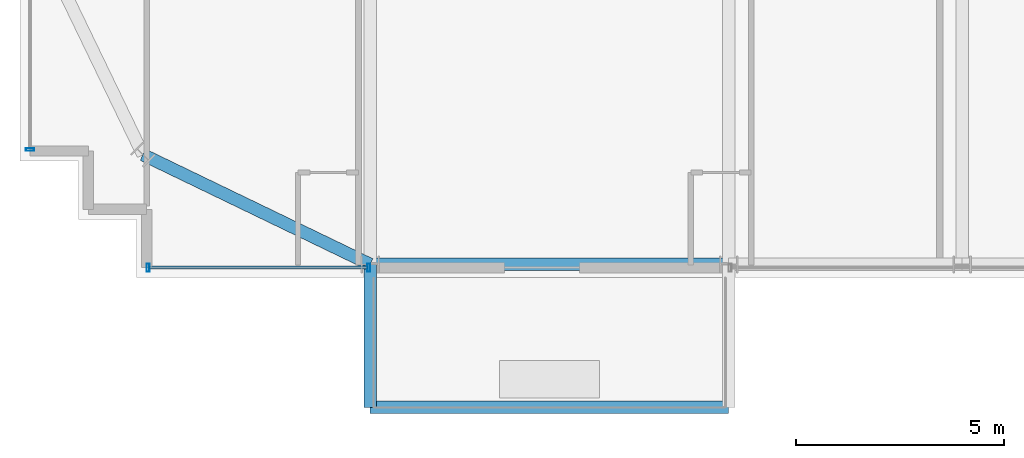
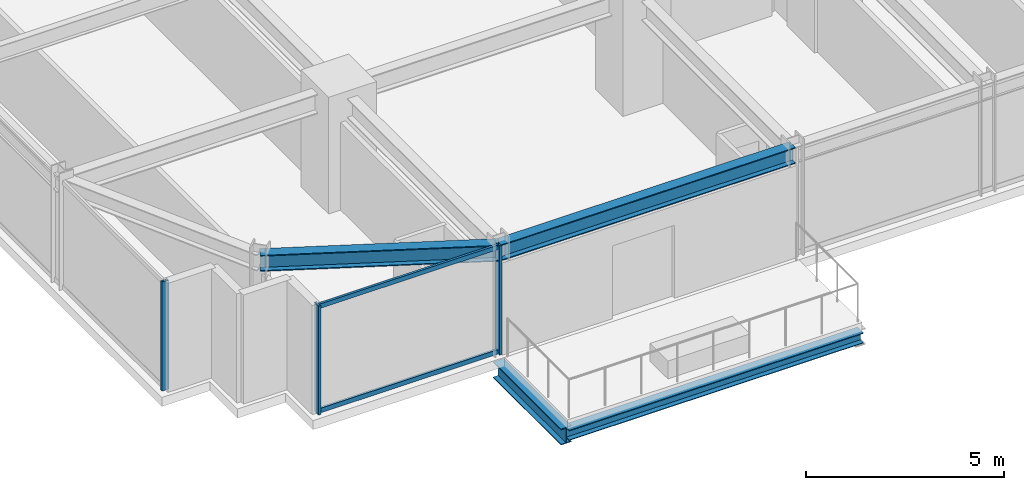
# One storey, part 3 of 35: 5 members, 4 beams, 2 elements without a shape of their own.
"""IFC4 building model written with IfcOpenShell, lengths in metres."""

from ifc_helpers import new_model, si_unit, direction, frame, origin, origin_2d, place, context, subcontext, project, spatial, hollow_rectangle, i_section, extrude, source, transform, mapped, material, material_profile, profile_set, type_object, element, aggregate, save


model = new_model("IFC4")

# Units and contexts
model_context = context("Model", 3, precision=1e-05, world=origin(), true_north=direction((0.0, 1.0)))
body_context = subcontext(model_context, "Body", "Model", "MODEL_VIEW")
ifc_project = project(units=[si_unit("LENGTHUNIT", "METRE"), si_unit("AREAUNIT", "SQUARE_METRE"), si_unit("VOLUMEUNIT", "CUBIC_METRE"), si_unit("PLANEANGLEUNIT", "RADIAN"), si_unit("MASSUNIT", "GRAM", prefix="KILO")], contexts=[model_context])

# Site, building, storey
site_placement = place(None, origin())
site = spatial("IfcSite", under=ifc_project, at=site_placement, CompositionType="ELEMENT")
building_placement = place(site_placement, origin())
building = spatial("IfcBuilding", under=site, at=building_placement, Name="Nahalor Promenade Grand Hotel", CompositionType="ELEMENT")
storey_placement = place(building_placement, frame((0.0, 0.0, 43.35009765625)))
storey = spatial("IfcBuildingStorey", under=building, at=storey_placement, Name="L09", CompositionType="ELEMENT", Elevation=43.35009765625)

# Beams
ifc_material_1 = material(Name="Steel S355JR", Category="steel")
ifc_material_profile_1 = material_profile(ifc_material_1, i_section(OverallWidth=0.3, OverallDepth=0.32, WebThickness=0.0115, FlangeThickness=0.0205, at=origin_2d()), Name="HEB 320")
ifc_profile_set_1 = profile_set([ifc_material_profile_1], Name="Steel S355JR")
beam_type_1 = type_object("IfcBeamType", Name="Beam-BalcEdge-HEB320", PredefinedType="SPANDREL", material=ifc_profile_set_1)
shared_shape_1 = source(origin(), body_context, "Body", "SweptSolid", [
    extrude(i_section(OverallWidth=0.3, OverallDepth=0.32, WebThickness=0.0115, FlangeThickness=0.0205, at=origin_2d()), origin(), (0.0, 0.0, 1.0), 8.60009765625),
])
beam_1_placement = place(storey_placement, frame((-17.0, -28.510009765625, -0.440185546875), z_axis=(1.0, 0.0, 0.0), x_axis=(0.0, 1.0, 0.0)))
element("IfcBeam", 1, at=beam_1_placement, inside=storey, type_object=beam_type_1, Name="BM-L09-BC-01-F", PredefinedType="SPANDREL", context=body_context, shape_type="MappedRepresentation", body=[
    mapped(shared_shape_1, transform((0.0, 0.0, 0.0), scale=1.0)),
])
ifc_material_profile_2 = material_profile(ifc_material_1, i_section(OverallWidth=0.3, OverallDepth=0.5, WebThickness=0.0145, FlangeThickness=0.028, at=origin_2d()), Name="HEB 500")
ifc_profile_set_2 = profile_set([ifc_material_profile_2], Name="Steel S355JR")
beam_type_2 = type_object("IfcBeamType", Name="Beam-Outrigger-HEB500", PredefinedType="BEAM", material=ifc_profile_set_2)
shared_shape_2 = source(origin(), body_context, "Body", "SweptSolid", [
    extrude(i_section(OverallWidth=0.3, OverallDepth=0.5, WebThickness=0.0145, FlangeThickness=0.028, at=origin_2d()), origin(), (0.0, 0.0, 1.0), 3.429931640625),
])
beam_2_placement = place(storey_placement, frame((-17.0, -28.510009765625, -0.530029296875), z_axis=(0.0, 1.0, 0.0), x_axis=(-1.0, 0.0, 0.0)))
element("IfcBeam", 2, at=beam_2_placement, inside=storey, type_object=beam_type_2, Name="BM-L09-BC-01-1", PredefinedType="BEAM", context=body_context, shape_type="MappedRepresentation", body=[
    mapped(shared_shape_2, transform((0.0, 0.0, 0.0), scale=1.0)),
])
ifc_material_profile_3 = material_profile(ifc_material_1, i_section(OverallWidth=0.3, OverallDepth=0.5, WebThickness=0.0145, FlangeThickness=0.028, at=origin_2d()), Name="HEB 500")
ifc_profile_set_3 = profile_set([ifc_material_profile_3], Name="Steel S355JR")
beam_type_3 = type_object("IfcBeamType", Name="Beam-Spandrel-HEB500", PredefinedType="SPANDREL", material=ifc_profile_set_3)
shared_shape_3 = source(origin(), body_context, "Body", "SweptSolid", [
    extrude(i_section(OverallWidth=0.3, OverallDepth=0.5, WebThickness=0.0145, FlangeThickness=0.028, at=origin_2d()), origin(), (0.0, 0.0, 1.0), 8.60009765625),
])
beam_3_placement = place(storey_placement, frame((-17.0, -25.080078125, 3.119873046875), z_axis=(1.0, 0.0, 0.0), x_axis=(0.0, 1.0, 0.0)))
element("IfcBeam", 3, at=beam_3_placement, inside=storey, type_object=beam_type_3, Name="BM-L09-SP-S-0", PredefinedType="SPANDREL", context=body_context, shape_type="MappedRepresentation", body=[
    mapped(shared_shape_3, transform((0.0, 0.0, 0.0), scale=1.0)),
])
shared_shape_4 = source(origin(), body_context, "Body", "SweptSolid", [
    extrude(i_section(OverallWidth=0.3, OverallDepth=0.5, WebThickness=0.0145, FlangeThickness=0.028, at=origin_2d()), origin(), (0.0, 0.0, 1.0), 6.051513671875),
])
beam_4_placement = place(storey_placement, frame((-17.0, -25.080078125, 3.119873046875), z_axis=(-0.900608818852, 0.434630596492, 0.0), x_axis=(-0.434630596492, -0.900608818852, 0.0)))
element("IfcBeam", 4, at=beam_4_placement, inside=storey, type_object=beam_type_3, Name="BM-L09-SPC-SW-1", PredefinedType="SPANDREL", context=body_context, shape_type="MappedRepresentation", body=[
    mapped(shared_shape_4, transform((0.0, 0.0, 0.0), scale=1.0)),
])

# Curtain wall, members
ifc_material_2 = material(Name="Anodised Bronze Aluminium EN AW-6063 T6", Category="aluminium")
curtain_wall_type = type_object("IfcCurtainWallType", Name="CW3 Elliptical-Void Collar Unitised Curtain Wall", PredefinedType="USERDEFINED", material=ifc_material_2)
curtain_wall_1_placement = place(storey_placement, origin())
curtain_wall_1 = element("IfcCurtainWall", 5, at=curtain_wall_1_placement, inside=storey, type_object=curtain_wall_type, Name="L09 Curtain Wall CW-L09-S-1", ObjectType="UNITISED_CURTAIN_WALL", PredefinedType="USERDEFINED")
ifc_material_profile_4 = material_profile(ifc_material_2, hollow_rectangle(XDim=0.07, YDim=0.2, WallThickness=0.005, at=origin_2d()), Name="CWM 70x200x5")
ifc_profile_set_4 = profile_set([ifc_material_profile_4], Name="Anodised Bronze Aluminium EN AW-6063 T6")
member_type_1 = type_object("IfcMemberType", Name="CWM3 Void Collar Mullion 70x200", PredefinedType="MULLION", material=ifc_profile_set_4)
shared_shape_5 = source(origin(), body_context, "Body", "SweptSolid", [
    extrude(hollow_rectangle(XDim=0.07, YDim=0.2, WallThickness=0.005, at=origin_2d()), origin(), (0.0, 0.0, 1.0), 3.369873046875),
])
member_1_placement = place(storey_placement, frame((-22.324951171875, -25.159912109375, 0.0), z_axis=(0.0, 0.0, 1.0), x_axis=(1.0, 0.0, 0.0)))
member_1 = element("IfcMember", 6, at=member_1_placement, type_object=member_type_1, Name="CW-L09-S-1 Mullion 0", PredefinedType="MULLION", context=body_context, shape_type="MappedRepresentation", body=[
    mapped(shared_shape_5, transform((0.0, 0.0, 0.0), scale=1.0)),
])
member_2_placement = place(storey_placement, frame((-17.034912109375, -25.159912109375, 0.0), z_axis=(0.0, 0.0, 1.0), x_axis=(1.0, 0.0, 0.0)))
member_2 = element("IfcMember", 7, at=member_2_placement, type_object=member_type_1, Name="CW-L09-S-1 Mullion 1", PredefinedType="MULLION", context=body_context, shape_type="MappedRepresentation", body=[
    mapped(shared_shape_5, transform((0.0, 0.0, 0.0), scale=1.0)),
])

# Curtain wall, member
curtain_wall_2_placement = place(storey_placement, origin())
curtain_wall_2 = element("IfcCurtainWall", 8, at=curtain_wall_2_placement, inside=storey, type_object=curtain_wall_type, Name="L09 Curtain Wall CW-L09-W-1", ObjectType="UNITISED_CURTAIN_WALL", PredefinedType="USERDEFINED")
member_3_placement = place(storey_placement, frame((-25.159912109375, -22.324951171875, 0.0), z_axis=(0.0, 0.0, 1.0), x_axis=(0.0, 1.0, 0.0)))
member_3 = element("IfcMember", 9, at=member_3_placement, type_object=member_type_1, Name="CW-L09-W-1 Mullion 0", PredefinedType="MULLION", context=body_context, shape_type="MappedRepresentation", body=[
    mapped(shared_shape_5, transform((0.0, 0.0, 0.0), scale=1.0)),
])
aggregate(curtain_wall_2, [member_3])

# Member
ifc_material_profile_5 = material_profile(ifc_material_2, hollow_rectangle(XDim=0.07, YDim=0.14, WallThickness=0.004, at=origin_2d()), Name="CWT 70x140x4")
ifc_profile_set_5 = profile_set([ifc_material_profile_5], Name="Anodised Bronze Aluminium EN AW-6063 T6")
member_type_2 = type_object("IfcMemberType", Name="CWT3 Void Collar Transom 70x140", PredefinedType="USERDEFINED", material=ifc_profile_set_5)
shared_shape_6 = source(origin(), body_context, "Body", "SweptSolid", [
    extrude(hollow_rectangle(XDim=0.07, YDim=0.14, WallThickness=0.004, at=origin_2d()), origin(), (0.0, 0.0, 1.0), 5.219970703125),
])
member_4_placement = place(storey_placement, frame((-22.2900390625, -25.159912109375, 0.06982421875), z_axis=(1.0, 0.0, 0.0), x_axis=(0.0, 1.0, 0.0)))
member_4 = element("IfcMember", 10, at=member_4_placement, type_object=member_type_2, Name="CW-L09-S-1 Transom 0-0", ObjectType="TRANSOM", PredefinedType="USERDEFINED", context=body_context, shape_type="MappedRepresentation", body=[
    mapped(shared_shape_6, transform((0.0, 0.0, 0.0), scale=1.0)),
])

member_5_placement = place(storey_placement, frame((-22.2900390625, -25.159912109375, 3.2998046875), z_axis=(1.0, 0.0, 0.0), x_axis=(0.0, 1.0, 0.0)))
member_5 = element("IfcMember", 11, at=member_5_placement, type_object=member_type_2, Name="CW-L09-S-1 Transom 0-1", ObjectType="TRANSOM", PredefinedType="USERDEFINED", context=body_context, shape_type="MappedRepresentation", body=[
    mapped(shared_shape_6, transform((0.0, 0.0, 0.0), scale=1.0)),
])

aggregate(curtain_wall_1, [member_1, member_2, member_4, member_5])

save(model, "model.ifc")
